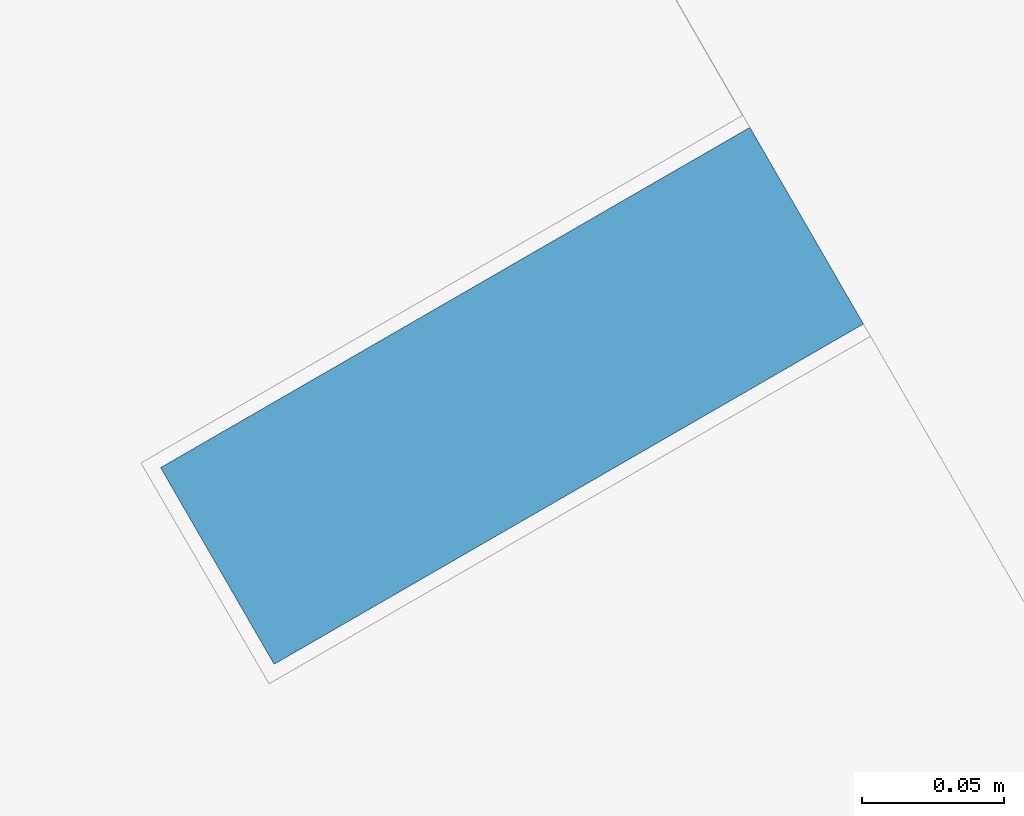
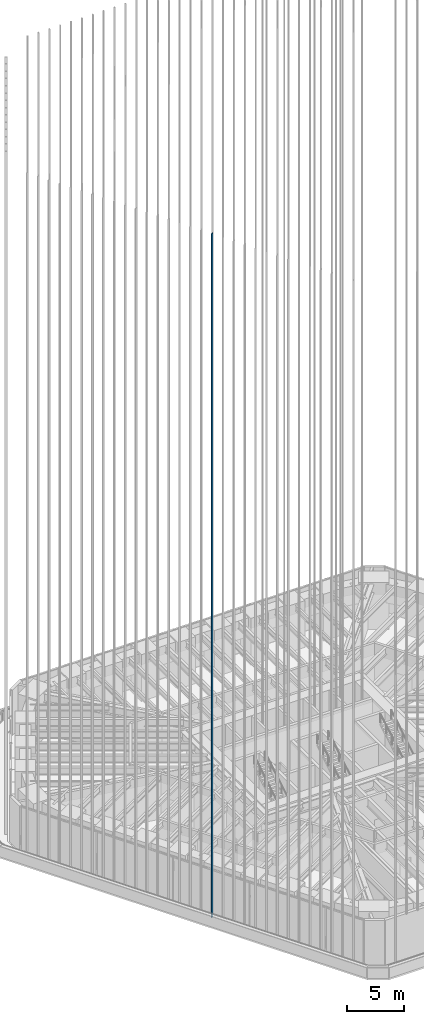
# One storey, part 9 of 228: 1 member, 1 element without a shape of its own.
"""IFC4 building model written with IfcOpenShell, lengths in metres."""

from ifc_helpers import new_model, si_unit, direction, frame, origin, origin_2d, place, context, subcontext, project, spatial, rectangle, extrude, material, material_profile, profile_set, type_object, element, aggregate, save


model = new_model("IFC4")

# Units and contexts
model_context = context("Model", 3, precision=1e-05, world=origin(), true_north=direction((0.0, 1.0)))
body_context = subcontext(model_context, "Body", "Model", "MODEL_VIEW")
ifc_project = project(units=[si_unit("LENGTHUNIT", "METRE"), si_unit("AREAUNIT", "SQUARE_METRE"), si_unit("VOLUMEUNIT", "CUBIC_METRE"), si_unit("PLANEANGLEUNIT", "RADIAN"), si_unit("MASSUNIT", "GRAM", prefix="KILO")], contexts=[model_context])

# Site, building, storey
site_placement = place(None, origin())
site = spatial("IfcSite", under=ifc_project, at=site_placement, CompositionType="ELEMENT")
building_placement = place(site_placement, origin())
building = spatial("IfcBuilding", under=site, at=building_placement, Name="Sandreach Pilgrim Tower", CompositionType="ELEMENT")
storey_placement = place(building_placement, frame((0.0, 0.0, 178.199951171875)))
storey = spatial("IfcBuildingStorey", under=building, at=storey_placement, Name="L44", CompositionType="ELEMENT", Elevation=178.199951171875)

# Curtain wall, member
ifc_material_1 = material(Name="Aluminium framed curtain wall", Category="aluminium")
curtain_wall_type = type_object("IfcCurtainWallType", Name="Upper hotel tower curtain wall", PredefinedType="NOTDEFINED", material=ifc_material_1)
curtain_wall_placement = place(storey_placement, origin())
curtain_wall = element("IfcCurtainWall", 1, at=curtain_wall_placement, inside=storey, type_object=curtain_wall_type, Name="CW-3 L44 SW", PredefinedType="NOTDEFINED")
ifc_material_2 = material(Name="Extruded terracotta on aluminium core", Category="masonry")
ifc_material_profile = material_profile(ifc_material_2, rectangle(XDim=0.080078125, YDim=0.239990234375, at=origin_2d()), Name="TBW 80X240")
ifc_profile_set = profile_set([ifc_material_profile], Name="Extruded terracotta on aluminium core")
member_type = type_object("IfcMemberType", Name="Terracotta baguette west", PredefinedType="USERDEFINED", material=ifc_profile_set)
member_placement = place(storey_placement, frame((-17.5869140625, -12.69873046875, 0.0), z_axis=(0.0, 0.0, 1.0), x_axis=(-0.5, 0.866025403784, 0.0)))
member = element("IfcMember", 2, at=member_placement, type_object=member_type, Name="Baguette Z3 SW14", ObjectType="BAGUETTE", PredefinedType="USERDEFINED", context=body_context, shape_type="SweptSolid", body=[
    extrude(rectangle(XDim=0.080078125, YDim=0.239990234375, at=origin_2d()), origin(), (0.0, 0.0, 1.0), 73.239990234375),
])
aggregate(curtain_wall, [member])

save(model, "model.ifc")
